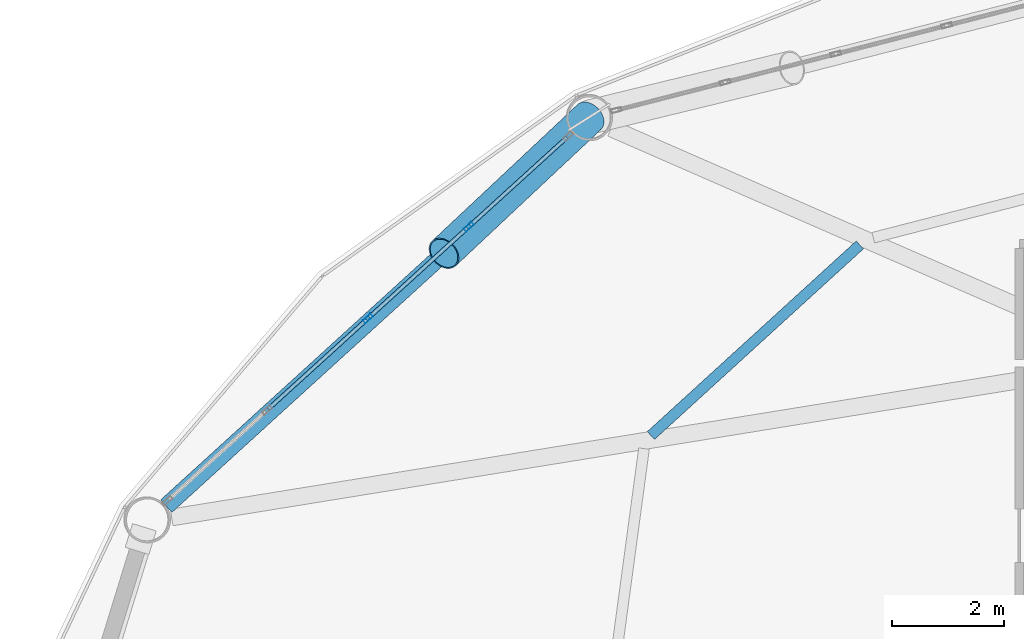
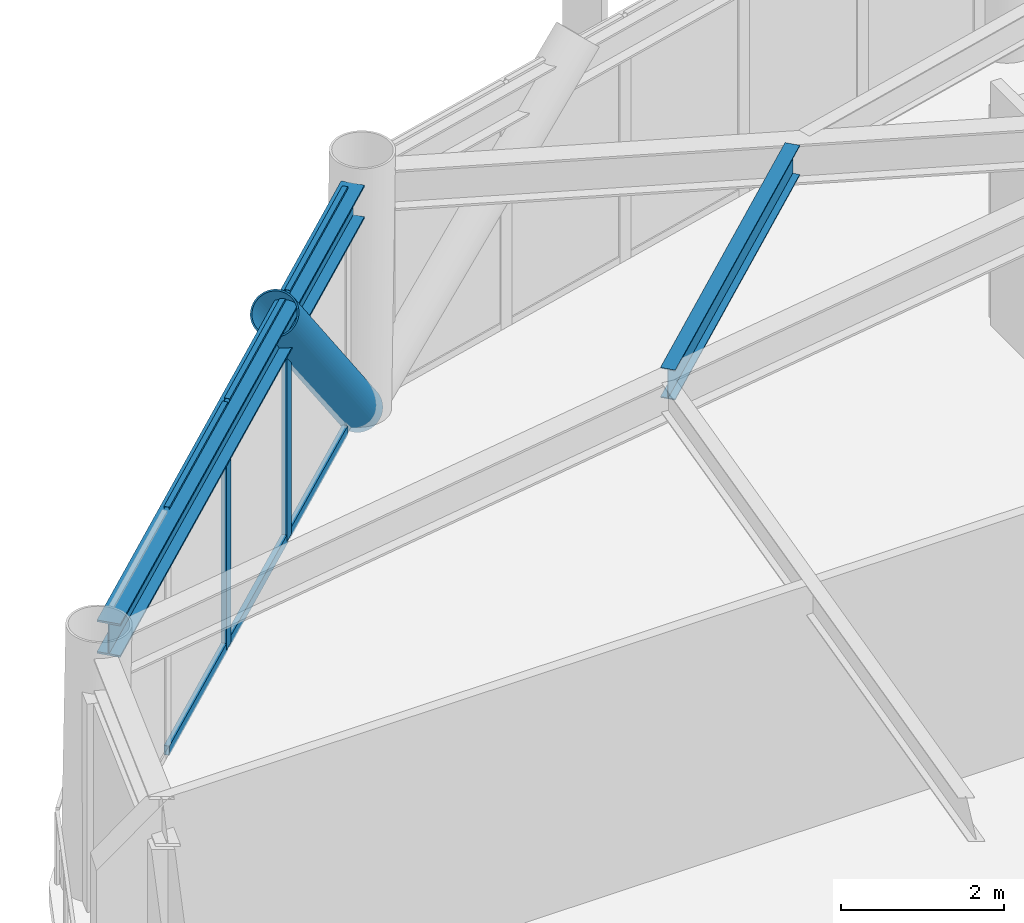
# One storey, part 15 of 25: 9 members, 2 beams, 1 element without a shape of its own.
"""IFC4 building model written with IfcOpenShell, lengths in metres."""

from ifc_helpers import new_model, si_unit, direction, frame, origin, origin_2d, place, context, subcontext, project, spatial, hollow_rectangle, hollow_circle, i_section, extrude, material, layer, layer_set, material_profile, profile_set, type_object, element, aggregate, save


model = new_model("IFC4")

# Units and contexts
model_context = context("Model", 3, precision=1e-05, world=origin(), true_north=direction((0.0, 1.0)))
body_context = subcontext(model_context, "Body", "Model", "MODEL_VIEW")
ifc_project = project(units=[si_unit("LENGTHUNIT", "METRE"), si_unit("AREAUNIT", "SQUARE_METRE"), si_unit("VOLUMEUNIT", "CUBIC_METRE"), si_unit("PLANEANGLEUNIT", "RADIAN"), si_unit("MASSUNIT", "GRAM", prefix="KILO")], contexts=[model_context])

# Site, building, storey
site_placement = place(None, origin())
site = spatial("IfcSite", under=ifc_project, at=site_placement, CompositionType="ELEMENT")
building_placement = place(site_placement, origin())
building = spatial("IfcBuilding", under=site, at=building_placement, Name="Varnakorn Sky Granary", CompositionType="ELEMENT")
storey_placement = place(building_placement, frame((0.0, 0.0, 99.300048828125)))
storey = spatial("IfcBuildingStorey", under=building, at=storey_placement, Name="L24", CompositionType="ELEMENT", Elevation=99.300048828125)

# Beams
ifc_material_1 = material(Name="Steel S355JR", Category="steel")
ifc_material_profile_1 = material_profile(ifc_material_1, i_section(OverallWidth=0.18994140625, OverallDepth=0.449951171875, WebThickness=0.009521484375, FlangeThickness=0.0146484375, at=origin_2d()), Name="IPE 450")
ifc_profile_set_1 = profile_set([ifc_material_profile_1], Name="Steel S355JR")
beam_type_1 = type_object("IfcBeamType", Name="BM-SEC-Z2", PredefinedType="BEAM", material=ifc_profile_set_1)
beam_1_placement = place(storey_placement, frame((-7.4384765625, 14.67578125, 3.4150390625), z_axis=(-0.738828716238, -0.673893261624, 0.0), x_axis=(0.673893261624, -0.738828716238, 0.0)))
element("IfcBeam", 1, at=beam_1_placement, inside=storey, type_object=beam_type_1, Name="Secondary Floor Chord Beam MSB05 L24", PredefinedType="BEAM", context=body_context, shape_type="SweptSolid", body=[
    extrude(i_section(OverallWidth=0.18994140625, OverallDepth=0.449951171875, WebThickness=0.009521484375, FlangeThickness=0.0146484375, at=origin_2d()), origin(), (0.0, 0.0, 1.0), 5.0341796875),
])
ifc_material_profile_2 = material_profile(ifc_material_1, i_section(OverallWidth=0.300048828125, OverallDepth=0.5, WebThickness=0.014404296875, FlangeThickness=0.028076171875, at=origin_2d()), Name="HE 500 B")
ifc_profile_set_2 = profile_set([ifc_material_profile_2], Name="Steel S355JR")
beam_type_2 = type_object("IfcBeamType", Name="BM-SPD-Z2", PredefinedType="SPANDREL", material=ifc_profile_set_2)
beam_2_placement = place(storey_placement, frame((-12.513427734375, 16.6455078125, 3.389892578125), z_axis=(-0.739474794298, -0.673184245655, 0.0), x_axis=(0.673184245655, -0.739474794298, 0.0)))
element("IfcBeam", 2, at=beam_2_placement, inside=storey, type_object=beam_type_2, Name="Perimeter Spandrel Ring Beam RB05 L24", PredefinedType="SPANDREL", context=body_context, shape_type="SweptSolid", body=[
    extrude(i_section(OverallWidth=0.300048828125, OverallDepth=0.5, WebThickness=0.014404296875, FlangeThickness=0.028076171875, at=origin_2d()), origin(), (0.0, 0.0, 1.0), 9.833251953125),
])

# Curtain wall, members
ifc_material_2 = material(Name="Anodised Bronze Aluminium Alloy 6063-T6", Category="aluminium")
ifc_layer = layer(ifc_material_2, 0.18994140625, Name="Anodised Bronze Aluminium Alloy 6063-T6")
ifc_layer_set = layer_set([ifc_layer], Name="Anodised Bronze Aluminium Alloy 6063-T6")
curtain_wall_type = type_object("IfcCurtainWallType", Name="CW-FRM-1", PredefinedType="USERDEFINED", material=ifc_layer_set)
curtain_wall_placement = place(storey_placement, origin())
curtain_wall = element("IfcCurtainWall", 3, at=curtain_wall_placement, inside=storey, type_object=curtain_wall_type, Name="Unitised Curtain Wall CW3 CW-L24-B05", ObjectType="CURTAIN WALL", PredefinedType="USERDEFINED")
ifc_material_profile_3 = material_profile(ifc_material_2, hollow_rectangle(XDim=0.070068359375, YDim=0.18505859375, WallThickness=0.00390625, at=origin_2d()), Name="ALU MULL 70x185")
ifc_profile_set_3 = profile_set([ifc_material_profile_3], Name="Anodised Bronze Aluminium Alloy 6063-T6")
member_type_1 = type_object("IfcMemberType", Name="CW-FRM-1-MULL", PredefinedType="MULLION", material=ifc_profile_set_3)
member_1_placement = place(storey_placement, frame((-16.195068359375, 13.367919921875, 0.0), z_axis=(0.0, 0.0, 1.0), x_axis=(-0.672918732545, 0.739716418224, 0.0)))
member_1 = element("IfcMember", 4, at=member_1_placement, type_object=member_type_1, Name="CW3 mullion 3", PredefinedType="MULLION", context=body_context, shape_type="SweptSolid", body=[
    extrude(hollow_rectangle(XDim=0.070068359375, YDim=0.18505859375, WallThickness=0.00390625, at=origin_2d()), origin(), (0.0, 0.0, 1.0), 3.639892578125),
])
member_2_placement = place(storey_placement, frame((-14.398681640625, 15.001953125, 0.0), z_axis=(0.0, 0.0, 1.0), x_axis=(-0.672918732545, 0.739716418224, 0.0)))
member_2 = element("IfcMember", 5, at=member_2_placement, type_object=member_type_1, Name="CW3 mullion 4", PredefinedType="MULLION", context=body_context, shape_type="SweptSolid", body=[
    extrude(hollow_rectangle(XDim=0.070068359375, YDim=0.18505859375, WallThickness=0.00390625, at=origin_2d()), origin(), (0.0, 0.0, 1.0), 3.639892578125),
])
ifc_material_profile_4 = material_profile(ifc_material_2, hollow_rectangle(XDim=0.070068359375, YDim=0.139892578125, WallThickness=0.00341796875, at=origin_2d()), Name="ALU TRAN 70x140")
ifc_profile_set_4 = profile_set([ifc_material_profile_4], Name="Anodised Bronze Aluminium Alloy 6063-T6")
member_type_2 = type_object("IfcMemberType", Name="CW-FRM-1-TRAN", PredefinedType="USERDEFINED", material=ifc_profile_set_4)
member_3_placement = place(storey_placement, frame((-17.96533203125, 11.757568359375, 0.034912109375), z_axis=(0.739757337336, 0.672873748824, 0.0), x_axis=(-0.672873748824, 0.739757337336, 0.0)))
member_3 = element("IfcMember", 6, at=member_3_placement, type_object=member_type_2, Name="CW3 transom 2.1", ObjectType="TRANSOM", PredefinedType="USERDEFINED", context=body_context, shape_type="SweptSolid", body=[
    extrude(hollow_rectangle(XDim=0.070068359375, YDim=0.139892578125, WallThickness=0.00341796875, at=origin_2d()), origin(), (0.0, 0.0, 1.0), 2.358154296875),
])
member_4_placement = place(storey_placement, frame((-17.96533203125, 11.757568359375, 3.60498046875), z_axis=(0.739757337336, 0.672873748824, 0.0), x_axis=(-0.672873748824, 0.739757337336, 0.0)))
member_4 = element("IfcMember", 7, at=member_4_placement, type_object=member_type_2, Name="CW3 transom 2.2", ObjectType="TRANSOM", PredefinedType="USERDEFINED", context=body_context, shape_type="SweptSolid", body=[
    extrude(hollow_rectangle(XDim=0.070068359375, YDim=0.139892578125, WallThickness=0.00341796875, at=origin_2d()), origin(), (0.0, 0.0, 1.0), 2.358154296875),
])
member_5_placement = place(storey_placement, frame((-16.169189453125, 13.391357421875, 0.034912109375), z_axis=(0.739705802851, 0.672930401474, 0.0), x_axis=(-0.672930401474, 0.739705802851, 0.0)))
member_5 = element("IfcMember", 8, at=member_5_placement, type_object=member_type_2, Name="CW3 transom 3.1", ObjectType="TRANSOM", PredefinedType="USERDEFINED", context=body_context, shape_type="SweptSolid", body=[
    extrude(hollow_rectangle(XDim=0.070068359375, YDim=0.139892578125, WallThickness=0.00341796875, at=origin_2d()), origin(), (0.0, 0.0, 1.0), 2.358154296875),
])
member_6_placement = place(storey_placement, frame((-16.169189453125, 13.391357421875, 3.60498046875), z_axis=(0.739705802851, 0.672930401474, 0.0), x_axis=(-0.672930401474, 0.739705802851, 0.0)))
member_6 = element("IfcMember", 9, at=member_6_placement, type_object=member_type_2, Name="CW3 transom 3.2", ObjectType="TRANSOM", PredefinedType="USERDEFINED", context=body_context, shape_type="SweptSolid", body=[
    extrude(hollow_rectangle(XDim=0.070068359375, YDim=0.139892578125, WallThickness=0.00341796875, at=origin_2d()), origin(), (0.0, 0.0, 1.0), 2.358154296875),
])
member_7_placement = place(storey_placement, frame((-14.372802734375, 15.025390625, 0.034912109375), z_axis=(0.739683254205, 0.672955186806, 0.0), x_axis=(-0.672955186806, 0.739683254205, 0.0)))
member_7 = element("IfcMember", 10, at=member_7_placement, type_object=member_type_2, Name="CW3 transom 4.1", ObjectType="TRANSOM", PredefinedType="USERDEFINED", context=body_context, shape_type="SweptSolid", body=[
    extrude(hollow_rectangle(XDim=0.070068359375, YDim=0.139892578125, WallThickness=0.00341796875, at=origin_2d()), origin(), (0.0, 0.0, 1.0), 2.3232421875),
])
member_8_placement = place(storey_placement, frame((-14.372802734375, 15.025390625, 3.60498046875), z_axis=(0.739683254205, 0.672955186806, 0.0), x_axis=(-0.672955186806, 0.739683254205, 0.0)))
member_8 = element("IfcMember", 11, at=member_8_placement, type_object=member_type_2, Name="CW3 transom 4.2", ObjectType="TRANSOM", PredefinedType="USERDEFINED", context=body_context, shape_type="SweptSolid", body=[
    extrude(hollow_rectangle(XDim=0.070068359375, YDim=0.139892578125, WallThickness=0.00341796875, at=origin_2d()), origin(), (0.0, 0.0, 1.0), 2.3232421875),
])
aggregate(curtain_wall, [member_1, member_2, member_3, member_4, member_5, member_6, member_7, member_8])

# Member
ifc_material_3 = material(Name="Steel S460M", Category="steel")
ifc_material_profile_5 = material_profile(ifc_material_3, hollow_circle(Radius=0.304931640625, WallThickness=0.022216796875, at=origin_2d()), Name="CHS 610x22")
ifc_profile_set_5 = profile_set([ifc_material_profile_5], Name="Steel S460M")
member_type_3 = type_object("IfcMemberType", Name="MB-DIAG-T1", PredefinedType="BRACE", material=ifc_profile_set_5)
member_9_placement = place(storey_placement, frame((-12.257568359375, 16.94970703125, 0.0), z_axis=(-0.497998115844, -0.467076202782, 0.730641976218), x_axis=(0.684099330985, -0.729388857432, 0.0)))
element("IfcMember", 12, at=member_9_placement, inside=storey, type_object=member_type_3, Name="Perimeter CHS Diagrid Brace DG05 L24", PredefinedType="BRACE", context=body_context, shape_type="SweptSolid", body=[
    extrude(hollow_circle(Radius=0.304931640625, WallThickness=0.022216796875, at=origin_2d()), origin(), (0.0, 0.0, 1.0), 5.187255859375),
])

save(model, "model.ifc")
